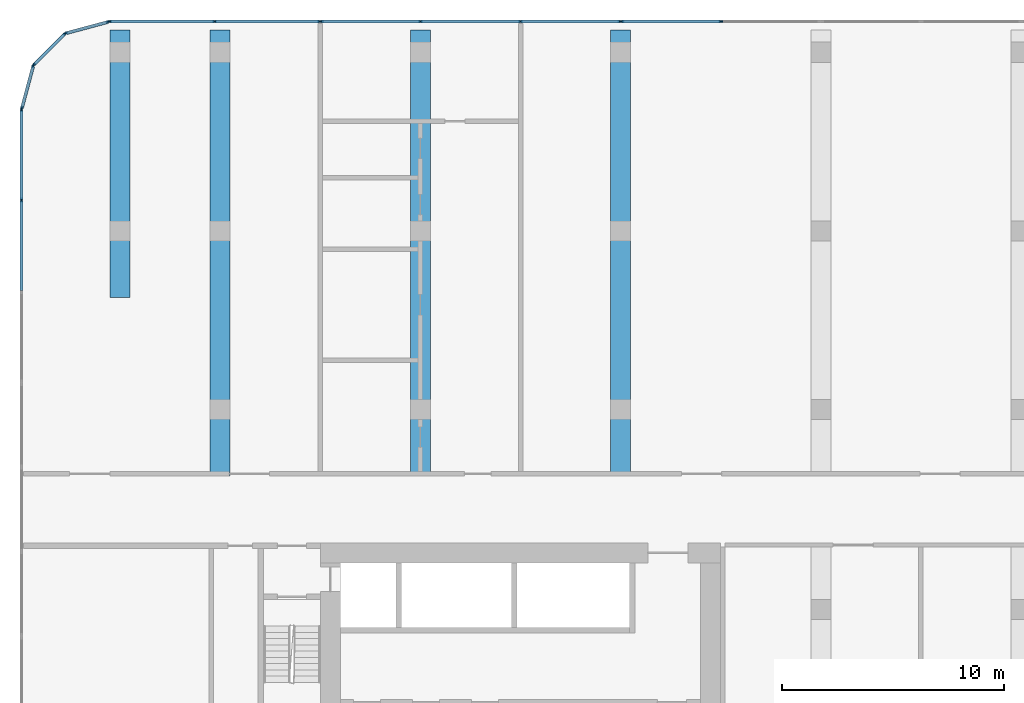
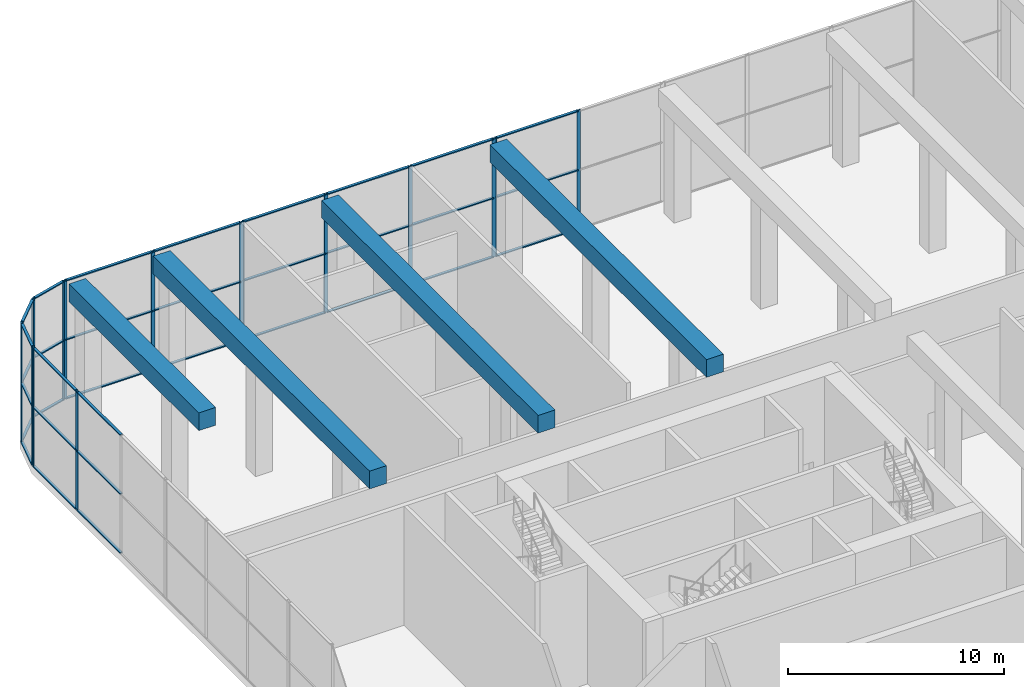
# One storey, part 5 of 23: 50 members, 4 beams, 7 elements without a shape of their own.
"""IFC4 building model written with IfcOpenShell, lengths in metres."""

from ifc_helpers import new_model, si_unit, direction, frame, origin, origin_2d, place, context, subcontext, project, spatial, rectangle, extrude, material, material_profile, profile_set, type_object, element, aggregate, save


model = new_model("IFC4")

# Units and contexts
model_context = context("Model", 3, precision=1e-05, world=origin(), true_north=direction((0.0, 1.0)))
body_context = subcontext(model_context, "Body", "Model", "MODEL_VIEW")
ifc_project = project(units=[si_unit("LENGTHUNIT", "METRE"), si_unit("AREAUNIT", "SQUARE_METRE"), si_unit("VOLUMEUNIT", "CUBIC_METRE"), si_unit("PLANEANGLEUNIT", "RADIAN"), si_unit("MASSUNIT", "GRAM", prefix="KILO")], contexts=[model_context])

# Site, building, storey
site_placement = place(None, origin())
site = spatial("IfcSite", under=ifc_project, at=site_placement, CompositionType="ELEMENT")
building_placement = place(site_placement, origin())
building = spatial("IfcBuilding", under=site, at=building_placement, Name="Kajstack Hotel Tower", CompositionType="ELEMENT")
storey_placement = place(building_placement, frame((0.0, 0.0, 53.0)))
storey = spatial("IfcBuildingStorey", under=building, at=storey_placement, Name="L08", CompositionType="ELEMENT", Elevation=53.0)

# Curtain wall, members
ifc_material_1 = material(Name="Aluminium-framed curtain wall, low-iron insulated glass", Category="aluminium")
curtain_wall_type = type_object("IfcCurtainWallType", Name="CW-GARDEN", PredefinedType="NOTDEFINED", material=ifc_material_1)
curtain_wall_1_placement = place(storey_placement, origin())
curtain_wall_1 = element("IfcCurtainWall", 1, at=curtain_wall_1_placement, inside=storey, type_object=curtain_wall_type, Name="Curtain wall CU6 L08-11-02-2", PredefinedType="NOTDEFINED")
ifc_material_2 = material(Name="Aluminium", Category="aluminium")
ifc_material_profile_1 = material_profile(ifc_material_2, rectangle(XDim=0.06005859375, YDim=0.199951171875, at=origin_2d()), Name="Aluminium mullion 60 x 200")
ifc_profile_set_1 = profile_set([ifc_material_profile_1], Name="Aluminium")
member_type_1 = type_object("IfcMemberType", Name="CW-M-GARDEN", PredefinedType="MULLION", material=ifc_profile_set_1)
member_1_placement = place(storey_placement, frame((-13.5, 21.925048828125, 0.0), z_axis=(0.0, 0.0, 1.0), x_axis=(0.0, -1.0, 0.0)))
member_1 = element("IfcMember", 2, at=member_1_placement, type_object=member_type_1, Name="CU6 mullion 2", PredefinedType="MULLION", context=body_context, shape_type="SweptSolid", body=[
    extrude(rectangle(XDim=0.06005859375, YDim=0.199951171875, at=origin_2d()), origin(), (0.0, 0.0, 1.0), 6.719970703125),
])
member_2_placement = place(storey_placement, frame((-17.969970703125, 21.925048828125, 0.0), z_axis=(0.0, 0.0, 1.0), x_axis=(0.0, -1.0, 0.0)))
member_2 = element("IfcMember", 3, at=member_2_placement, type_object=member_type_1, Name="CU6 mullion 3", PredefinedType="MULLION", context=body_context, shape_type="SweptSolid", body=[
    extrude(rectangle(XDim=0.06005859375, YDim=0.199951171875, at=origin_2d()), origin(), (0.0, 0.0, 1.0), 6.719970703125),
])

curtain_wall_2_placement = place(storey_placement, origin())
curtain_wall_2 = element("IfcCurtainWall", 4, at=curtain_wall_2_placement, inside=storey, type_object=curtain_wall_type, Name="Curtain wall CU6 L08-11-02-3", PredefinedType="NOTDEFINED")
member_3_placement = place(storey_placement, frame((-18.030029296875, 21.925048828125, 0.0), z_axis=(0.0, 0.0, 1.0), x_axis=(0.0, -1.0, 0.0)))
member_3 = element("IfcMember", 5, at=member_3_placement, type_object=member_type_1, Name="CU6 mullion 1", PredefinedType="MULLION", context=body_context, shape_type="SweptSolid", body=[
    extrude(rectangle(XDim=0.06005859375, YDim=0.199951171875, at=origin_2d()), origin(), (0.0, 0.0, 1.0), 6.719970703125),
])
member_4_placement = place(storey_placement, frame((-22.5, 21.925048828125, 0.0), z_axis=(0.0, 0.0, 1.0), x_axis=(0.0, -1.0, 0.0)))
member_4 = element("IfcMember", 6, at=member_4_placement, type_object=member_type_1, Name="CU6 mullion 2", PredefinedType="MULLION", context=body_context, shape_type="SweptSolid", body=[
    extrude(rectangle(XDim=0.06005859375, YDim=0.199951171875, at=origin_2d()), origin(), (0.0, 0.0, 1.0), 6.719970703125),
])
member_5_placement = place(storey_placement, frame((-27.0, 21.925048828125, 0.0), z_axis=(0.0, 0.0, 1.0), x_axis=(0.0, -1.0, 0.0)))
member_5 = element("IfcMember", 7, at=member_5_placement, type_object=member_type_1, Name="CU6 mullion 3", PredefinedType="MULLION", context=body_context, shape_type="SweptSolid", body=[
    extrude(rectangle(XDim=0.06005859375, YDim=0.199951171875, at=origin_2d()), origin(), (0.0, 0.0, 1.0), 6.719970703125),
])
member_6_placement = place(storey_placement, frame((-31.469970703125, 21.925048828125, 0.0), z_axis=(0.0, 0.0, 1.0), x_axis=(0.0, -1.0, 0.0)))
member_6 = element("IfcMember", 8, at=member_6_placement, type_object=member_type_1, Name="CU6 mullion 4", PredefinedType="MULLION", context=body_context, shape_type="SweptSolid", body=[
    extrude(rectangle(XDim=0.06005859375, YDim=0.199951171875, at=origin_2d()), origin(), (0.0, 0.0, 1.0), 6.719970703125),
])

curtain_wall_3_placement = place(storey_placement, origin())
curtain_wall_3 = element("IfcCurtainWall", 9, at=curtain_wall_3_placement, inside=storey, type_object=curtain_wall_type, Name="Curtain wall CU6 L08-11-02-4", PredefinedType="NOTDEFINED")
member_7_placement = place(storey_placement, frame((-31.530029296875, 21.925048828125, 0.0), z_axis=(0.0, 0.0, 1.0), x_axis=(0.0, -1.0, 0.0)))
member_7 = element("IfcMember", 10, at=member_7_placement, type_object=member_type_1, Name="CU6 mullion 1", PredefinedType="MULLION", context=body_context, shape_type="SweptSolid", body=[
    extrude(rectangle(XDim=0.06005859375, YDim=0.199951171875, at=origin_2d()), origin(), (0.0, 0.0, 1.0), 6.719970703125),
])
member_8_placement = place(storey_placement, frame((-36.25, 21.925048828125, 0.0), z_axis=(0.0, 0.0, 1.0), x_axis=(0.0, -1.0, 0.0)))
member_8 = element("IfcMember", 11, at=member_8_placement, type_object=member_type_1, Name="CU6 mullion 2", PredefinedType="MULLION", context=body_context, shape_type="SweptSolid", body=[
    extrude(rectangle(XDim=0.06005859375, YDim=0.199951171875, at=origin_2d()), origin(), (0.0, 0.0, 1.0), 6.719970703125),
])
member_9_placement = place(storey_placement, frame((-40.969970703125, 21.925048828125, 0.0), z_axis=(0.0, 0.0, 1.0), x_axis=(0.0, -1.0, 0.0)))
member_9 = element("IfcMember", 12, at=member_9_placement, type_object=member_type_1, Name="CU6 mullion 3", PredefinedType="MULLION", context=body_context, shape_type="SweptSolid", body=[
    extrude(rectangle(XDim=0.06005859375, YDim=0.199951171875, at=origin_2d()), origin(), (0.0, 0.0, 1.0), 6.719970703125),
])

curtain_wall_4_placement = place(storey_placement, origin())
curtain_wall_4 = element("IfcCurtainWall", 13, at=curtain_wall_4_placement, inside=storey, type_object=curtain_wall_type, Name="Curtain wall CU6 L08-12-00-0", PredefinedType="NOTDEFINED")
member_10_placement = place(storey_placement, frame((-41.009521484375, 21.919677734375, 0.0), z_axis=(0.0, 0.0, 1.0), x_axis=(0.258819772904, -0.965925631275, 0.0)))
member_10 = element("IfcMember", 14, at=member_10_placement, type_object=member_type_1, Name="CU6 mullion 1", PredefinedType="MULLION", context=body_context, shape_type="SweptSolid", body=[
    extrude(rectangle(XDim=0.06005859375, YDim=0.199951171875, at=origin_2d()), origin(), (0.0, 0.0, 1.0), 6.719970703125),
])
member_11_placement = place(storey_placement, frame((-42.95166015625, 21.3994140625, 0.0), z_axis=(0.0, 0.0, 1.0), x_axis=(0.258819772904, -0.965925631275, 0.0)))
member_11 = element("IfcMember", 15, at=member_11_placement, type_object=member_type_1, Name="CU6 mullion 2", PredefinedType="MULLION", context=body_context, shape_type="SweptSolid", body=[
    extrude(rectangle(XDim=0.06005859375, YDim=0.199951171875, at=origin_2d()), origin(), (0.0, 0.0, 1.0), 6.719970703125),
])

curtain_wall_5_placement = place(storey_placement, origin())
curtain_wall_5 = element("IfcCurtainWall", 16, at=curtain_wall_5_placement, inside=storey, type_object=curtain_wall_type, Name="Curtain wall CU6 L08-13-00-0", PredefinedType="NOTDEFINED")
member_12_placement = place(storey_placement, frame((-42.96826171875, 21.389892578125, 0.0), z_axis=(0.0, 0.0, 1.0), x_axis=(0.707106781187, -0.707106781187, 0.0)))
member_12 = element("IfcMember", 17, at=member_12_placement, type_object=member_type_1, Name="CU6 mullion 1", PredefinedType="MULLION", context=body_context, shape_type="SweptSolid", body=[
    extrude(rectangle(XDim=0.06005859375, YDim=0.199951171875, at=origin_2d()), origin(), (0.0, 0.0, 1.0), 6.719970703125),
])
member_13_placement = place(storey_placement, frame((-44.389892578125, 19.96826171875, 0.0), z_axis=(0.0, 0.0, 1.0), x_axis=(0.707106781187, -0.707106781187, 0.0)))
member_13 = element("IfcMember", 18, at=member_13_placement, type_object=member_type_1, Name="CU6 mullion 2", PredefinedType="MULLION", context=body_context, shape_type="SweptSolid", body=[
    extrude(rectangle(XDim=0.06005859375, YDim=0.199951171875, at=origin_2d()), origin(), (0.0, 0.0, 1.0), 6.719970703125),
])

curtain_wall_6_placement = place(storey_placement, origin())
curtain_wall_6 = element("IfcCurtainWall", 19, at=curtain_wall_6_placement, inside=storey, type_object=curtain_wall_type, Name="Curtain wall CU6 L08-14-00-0", PredefinedType="NOTDEFINED")
member_14_placement = place(storey_placement, frame((-44.3994140625, 19.95166015625, 0.0), z_axis=(0.0, 0.0, 1.0), x_axis=(0.965925631275, -0.258819772904, 0.0)))
member_14 = element("IfcMember", 20, at=member_14_placement, type_object=member_type_1, Name="CU6 mullion 1", PredefinedType="MULLION", context=body_context, shape_type="SweptSolid", body=[
    extrude(rectangle(XDim=0.06005859375, YDim=0.199951171875, at=origin_2d()), origin(), (0.0, 0.0, 1.0), 6.719970703125),
])
member_15_placement = place(storey_placement, frame((-44.919677734375, 18.009521484375, 0.0), z_axis=(0.0, 0.0, 1.0), x_axis=(0.965925631275, -0.258819772904, 0.0)))
member_15 = element("IfcMember", 21, at=member_15_placement, type_object=member_type_1, Name="CU6 mullion 2", PredefinedType="MULLION", context=body_context, shape_type="SweptSolid", body=[
    extrude(rectangle(XDim=0.06005859375, YDim=0.199951171875, at=origin_2d()), origin(), (0.0, 0.0, 1.0), 6.719970703125),
])

curtain_wall_7_placement = place(storey_placement, origin())
curtain_wall_7 = element("IfcCurtainWall", 22, at=curtain_wall_7_placement, inside=storey, type_object=curtain_wall_type, Name="Curtain wall CU6 L08-15-00-0", PredefinedType="NOTDEFINED")
member_16_placement = place(storey_placement, frame((-44.925048828125, 17.969970703125, 0.0), z_axis=(0.0, 0.0, 1.0), x_axis=(1.0, 0.0, 0.0)))
member_16 = element("IfcMember", 23, at=member_16_placement, type_object=member_type_1, Name="CU6 mullion 1", PredefinedType="MULLION", context=body_context, shape_type="SweptSolid", body=[
    extrude(rectangle(XDim=0.06005859375, YDim=0.199951171875, at=origin_2d()), origin(), (0.0, 0.0, 1.0), 6.719970703125),
])
member_17_placement = place(storey_placement, frame((-44.925048828125, 13.89990234375, 0.0), z_axis=(0.0, 0.0, 1.0), x_axis=(1.0, 0.0, 0.0)))
member_17 = element("IfcMember", 24, at=member_17_placement, type_object=member_type_1, Name="CU6 mullion 2", PredefinedType="MULLION", context=body_context, shape_type="SweptSolid", body=[
    extrude(rectangle(XDim=0.06005859375, YDim=0.199951171875, at=origin_2d()), origin(), (0.0, 0.0, 1.0), 6.719970703125),
])

# Member
ifc_material_profile_2 = material_profile(ifc_material_2, rectangle(XDim=0.139892578125, YDim=0.06005859375, at=origin_2d()), Name="Aluminium transom 140 x 60")
ifc_profile_set_2 = profile_set([ifc_material_profile_2], Name="Aluminium")
member_type_2 = type_object("IfcMemberType", Name="CW-T-GARDEN", PredefinedType="USERDEFINED", material=ifc_profile_set_2)
member_18_placement = place(storey_placement, frame((-13.530029296875, 21.925048828125, 0.030029296875), z_axis=(-1.0, 0.0, 0.0), x_axis=(0.0, -1.0, 0.0)))
member_18 = element("IfcMember", 25, at=member_18_placement, type_object=member_type_2, Name="CU6 transom 2.1", ObjectType="TRANSOM", PredefinedType="USERDEFINED", context=body_context, shape_type="SweptSolid", body=[
    extrude(rectangle(XDim=0.139892578125, YDim=0.06005859375, at=origin_2d()), origin(), (0.0, 0.0, 1.0), 4.409912109375),
])

member_19_placement = place(storey_placement, frame((-13.530029296875, 21.925048828125, 3.360107421875), z_axis=(-1.0, 0.0, 0.0), x_axis=(0.0, -1.0, 0.0)))
member_19 = element("IfcMember", 26, at=member_19_placement, type_object=member_type_2, Name="CU6 transom 2.2", ObjectType="TRANSOM", PredefinedType="USERDEFINED", context=body_context, shape_type="SweptSolid", body=[
    extrude(rectangle(XDim=0.139892578125, YDim=0.06005859375, at=origin_2d()), origin(), (0.0, 0.0, 1.0), 4.409912109375),
])

member_20_placement = place(storey_placement, frame((-13.530029296875, 21.925048828125, 6.68994140625), z_axis=(-1.0, 0.0, 0.0), x_axis=(0.0, -1.0, 0.0)))
member_20 = element("IfcMember", 27, at=member_20_placement, type_object=member_type_2, Name="CU6 transom 2.3", ObjectType="TRANSOM", PredefinedType="USERDEFINED", context=body_context, shape_type="SweptSolid", body=[
    extrude(rectangle(XDim=0.139892578125, YDim=0.06005859375, at=origin_2d()), origin(), (0.0, 0.0, 1.0), 4.409912109375),
])

aggregate(curtain_wall_1, [member_1, member_2, member_18, member_19, member_20])

member_21_placement = place(storey_placement, frame((-18.06005859375, 21.925048828125, 0.030029296875), z_axis=(-1.0, 0.0, 0.0), x_axis=(0.0, -1.0, 0.0)))
member_21 = element("IfcMember", 28, at=member_21_placement, type_object=member_type_2, Name="CU6 transom 1.1", ObjectType="TRANSOM", PredefinedType="USERDEFINED", context=body_context, shape_type="SweptSolid", body=[
    extrude(rectangle(XDim=0.139892578125, YDim=0.06005859375, at=origin_2d()), origin(), (0.0, 0.0, 1.0), 4.409912109375),
])

member_22_placement = place(storey_placement, frame((-18.06005859375, 21.925048828125, 3.360107421875), z_axis=(-1.0, 0.0, 0.0), x_axis=(0.0, -1.0, 0.0)))
member_22 = element("IfcMember", 29, at=member_22_placement, type_object=member_type_2, Name="CU6 transom 1.2", ObjectType="TRANSOM", PredefinedType="USERDEFINED", context=body_context, shape_type="SweptSolid", body=[
    extrude(rectangle(XDim=0.139892578125, YDim=0.06005859375, at=origin_2d()), origin(), (0.0, 0.0, 1.0), 4.409912109375),
])

member_23_placement = place(storey_placement, frame((-18.06005859375, 21.925048828125, 6.68994140625), z_axis=(-1.0, 0.0, 0.0), x_axis=(0.0, -1.0, 0.0)))
member_23 = element("IfcMember", 30, at=member_23_placement, type_object=member_type_2, Name="CU6 transom 1.3", ObjectType="TRANSOM", PredefinedType="USERDEFINED", context=body_context, shape_type="SweptSolid", body=[
    extrude(rectangle(XDim=0.139892578125, YDim=0.06005859375, at=origin_2d()), origin(), (0.0, 0.0, 1.0), 4.409912109375),
])

member_24_placement = place(storey_placement, frame((-22.530029296875, 21.925048828125, 0.030029296875), z_axis=(-1.0, 0.0, 0.0), x_axis=(0.0, -1.0, 0.0)))
member_24 = element("IfcMember", 31, at=member_24_placement, type_object=member_type_2, Name="CU6 transom 2.1", ObjectType="TRANSOM", PredefinedType="USERDEFINED", context=body_context, shape_type="SweptSolid", body=[
    extrude(rectangle(XDim=0.139892578125, YDim=0.06005859375, at=origin_2d()), origin(), (0.0, 0.0, 1.0), 4.43994140625),
])

member_25_placement = place(storey_placement, frame((-22.530029296875, 21.925048828125, 3.360107421875), z_axis=(-1.0, 0.0, 0.0), x_axis=(0.0, -1.0, 0.0)))
member_25 = element("IfcMember", 32, at=member_25_placement, type_object=member_type_2, Name="CU6 transom 2.2", ObjectType="TRANSOM", PredefinedType="USERDEFINED", context=body_context, shape_type="SweptSolid", body=[
    extrude(rectangle(XDim=0.139892578125, YDim=0.06005859375, at=origin_2d()), origin(), (0.0, 0.0, 1.0), 4.43994140625),
])

member_26_placement = place(storey_placement, frame((-22.530029296875, 21.925048828125, 6.68994140625), z_axis=(-1.0, 0.0, 0.0), x_axis=(0.0, -1.0, 0.0)))
member_26 = element("IfcMember", 33, at=member_26_placement, type_object=member_type_2, Name="CU6 transom 2.3", ObjectType="TRANSOM", PredefinedType="USERDEFINED", context=body_context, shape_type="SweptSolid", body=[
    extrude(rectangle(XDim=0.139892578125, YDim=0.06005859375, at=origin_2d()), origin(), (0.0, 0.0, 1.0), 4.43994140625),
])

member_27_placement = place(storey_placement, frame((-27.030029296875, 21.925048828125, 0.030029296875), z_axis=(-1.0, 0.0, 0.0), x_axis=(0.0, -1.0, 0.0)))
member_27 = element("IfcMember", 34, at=member_27_placement, type_object=member_type_2, Name="CU6 transom 3.1", ObjectType="TRANSOM", PredefinedType="USERDEFINED", context=body_context, shape_type="SweptSolid", body=[
    extrude(rectangle(XDim=0.139892578125, YDim=0.06005859375, at=origin_2d()), origin(), (0.0, 0.0, 1.0), 4.409912109375),
])

member_28_placement = place(storey_placement, frame((-27.030029296875, 21.925048828125, 3.360107421875), z_axis=(-1.0, 0.0, 0.0), x_axis=(0.0, -1.0, 0.0)))
member_28 = element("IfcMember", 35, at=member_28_placement, type_object=member_type_2, Name="CU6 transom 3.2", ObjectType="TRANSOM", PredefinedType="USERDEFINED", context=body_context, shape_type="SweptSolid", body=[
    extrude(rectangle(XDim=0.139892578125, YDim=0.06005859375, at=origin_2d()), origin(), (0.0, 0.0, 1.0), 4.409912109375),
])

member_29_placement = place(storey_placement, frame((-27.030029296875, 21.925048828125, 6.68994140625), z_axis=(-1.0, 0.0, 0.0), x_axis=(0.0, -1.0, 0.0)))
member_29 = element("IfcMember", 36, at=member_29_placement, type_object=member_type_2, Name="CU6 transom 3.3", ObjectType="TRANSOM", PredefinedType="USERDEFINED", context=body_context, shape_type="SweptSolid", body=[
    extrude(rectangle(XDim=0.139892578125, YDim=0.06005859375, at=origin_2d()), origin(), (0.0, 0.0, 1.0), 4.409912109375),
])

aggregate(curtain_wall_2, [member_3, member_4, member_5, member_6, member_21, member_22, member_23, member_24, member_25, member_26, member_27, member_28, member_29])

member_30_placement = place(storey_placement, frame((-31.56005859375, 21.925048828125, 0.030029296875), z_axis=(-1.0, 0.0, 0.0), x_axis=(0.0, -1.0, 0.0)))
member_30 = element("IfcMember", 37, at=member_30_placement, type_object=member_type_2, Name="CU6 transom 1.1", ObjectType="TRANSOM", PredefinedType="USERDEFINED", context=body_context, shape_type="SweptSolid", body=[
    extrude(rectangle(XDim=0.139892578125, YDim=0.06005859375, at=origin_2d()), origin(), (0.0, 0.0, 1.0), 4.659912109375),
])

member_31_placement = place(storey_placement, frame((-31.56005859375, 21.925048828125, 3.360107421875), z_axis=(-1.0, 0.0, 0.0), x_axis=(0.0, -1.0, 0.0)))
member_31 = element("IfcMember", 38, at=member_31_placement, type_object=member_type_2, Name="CU6 transom 1.2", ObjectType="TRANSOM", PredefinedType="USERDEFINED", context=body_context, shape_type="SweptSolid", body=[
    extrude(rectangle(XDim=0.139892578125, YDim=0.06005859375, at=origin_2d()), origin(), (0.0, 0.0, 1.0), 4.659912109375),
])

member_32_placement = place(storey_placement, frame((-31.56005859375, 21.925048828125, 6.68994140625), z_axis=(-1.0, 0.0, 0.0), x_axis=(0.0, -1.0, 0.0)))
member_32 = element("IfcMember", 39, at=member_32_placement, type_object=member_type_2, Name="CU6 transom 1.3", ObjectType="TRANSOM", PredefinedType="USERDEFINED", context=body_context, shape_type="SweptSolid", body=[
    extrude(rectangle(XDim=0.139892578125, YDim=0.06005859375, at=origin_2d()), origin(), (0.0, 0.0, 1.0), 4.659912109375),
])

member_33_placement = place(storey_placement, frame((-36.280029296875, 21.925048828125, 0.030029296875), z_axis=(-1.0, 0.0, 0.0), x_axis=(0.0, -1.0, 0.0)))
member_33 = element("IfcMember", 40, at=member_33_placement, type_object=member_type_2, Name="CU6 transom 2.1", ObjectType="TRANSOM", PredefinedType="USERDEFINED", context=body_context, shape_type="SweptSolid", body=[
    extrude(rectangle(XDim=0.139892578125, YDim=0.06005859375, at=origin_2d()), origin(), (0.0, 0.0, 1.0), 4.659912109375),
])

member_34_placement = place(storey_placement, frame((-36.280029296875, 21.925048828125, 3.360107421875), z_axis=(-1.0, 0.0, 0.0), x_axis=(0.0, -1.0, 0.0)))
member_34 = element("IfcMember", 41, at=member_34_placement, type_object=member_type_2, Name="CU6 transom 2.2", ObjectType="TRANSOM", PredefinedType="USERDEFINED", context=body_context, shape_type="SweptSolid", body=[
    extrude(rectangle(XDim=0.139892578125, YDim=0.06005859375, at=origin_2d()), origin(), (0.0, 0.0, 1.0), 4.659912109375),
])

member_35_placement = place(storey_placement, frame((-36.280029296875, 21.925048828125, 6.68994140625), z_axis=(-1.0, 0.0, 0.0), x_axis=(0.0, -1.0, 0.0)))
member_35 = element("IfcMember", 42, at=member_35_placement, type_object=member_type_2, Name="CU6 transom 2.3", ObjectType="TRANSOM", PredefinedType="USERDEFINED", context=body_context, shape_type="SweptSolid", body=[
    extrude(rectangle(XDim=0.139892578125, YDim=0.06005859375, at=origin_2d()), origin(), (0.0, 0.0, 1.0), 4.659912109375),
])

aggregate(curtain_wall_3, [member_7, member_8, member_9, member_30, member_31, member_32, member_33, member_34, member_35])

member_36_placement = place(storey_placement, frame((-41.03857421875, 21.912109375, 0.030029296875), z_axis=(-0.96591843844, -0.258846615355, 0.0), x_axis=(0.258846615355, -0.96591843844, 0.0)))
member_36 = element("IfcMember", 43, at=member_36_placement, type_object=member_type_2, Name="CU6 transom 1.1", ObjectType="TRANSOM", PredefinedType="USERDEFINED", context=body_context, shape_type="SweptSolid", body=[
    extrude(rectangle(XDim=0.139892578125, YDim=0.06005859375, at=origin_2d()), origin(), (0.0, 0.0, 1.0), 1.950439453125),
])

member_37_placement = place(storey_placement, frame((-41.03857421875, 21.912109375, 3.360107421875), z_axis=(-0.96591843844, -0.258846615355, 0.0), x_axis=(0.258846615355, -0.96591843844, 0.0)))
member_37 = element("IfcMember", 44, at=member_37_placement, type_object=member_type_2, Name="CU6 transom 1.2", ObjectType="TRANSOM", PredefinedType="USERDEFINED", context=body_context, shape_type="SweptSolid", body=[
    extrude(rectangle(XDim=0.139892578125, YDim=0.06005859375, at=origin_2d()), origin(), (0.0, 0.0, 1.0), 1.950439453125),
])

member_38_placement = place(storey_placement, frame((-41.03857421875, 21.912109375, 6.68994140625), z_axis=(-0.96591843844, -0.258846615355, 0.0), x_axis=(0.258846615355, -0.96591843844, 0.0)))
member_38 = element("IfcMember", 45, at=member_38_placement, type_object=member_type_2, Name="CU6 transom 1.3", ObjectType="TRANSOM", PredefinedType="USERDEFINED", context=body_context, shape_type="SweptSolid", body=[
    extrude(rectangle(XDim=0.139892578125, YDim=0.06005859375, at=origin_2d()), origin(), (0.0, 0.0, 1.0), 1.950439453125),
])

aggregate(curtain_wall_4, [member_10, member_11, member_36, member_37, member_38])

member_39_placement = place(storey_placement, frame((-42.989501953125, 21.36865234375, 0.030029296875), z_axis=(-0.707106781187, -0.707106781187, 0.0), x_axis=(0.707106781187, -0.707106781187, 0.0)))
member_39 = element("IfcMember", 46, at=member_39_placement, type_object=member_type_2, Name="CU6 transom 1.1", ObjectType="TRANSOM", PredefinedType="USERDEFINED", context=body_context, shape_type="SweptSolid", body=[
    extrude(rectangle(XDim=0.139892578125, YDim=0.06005859375, at=origin_2d()), origin(), (0.0, 0.0, 1.0), 1.950439453125),
])

member_40_placement = place(storey_placement, frame((-42.989501953125, 21.36865234375, 3.360107421875), z_axis=(-0.707106781187, -0.707106781187, 0.0), x_axis=(0.707106781187, -0.707106781187, 0.0)))
member_40 = element("IfcMember", 47, at=member_40_placement, type_object=member_type_2, Name="CU6 transom 1.2", ObjectType="TRANSOM", PredefinedType="USERDEFINED", context=body_context, shape_type="SweptSolid", body=[
    extrude(rectangle(XDim=0.139892578125, YDim=0.06005859375, at=origin_2d()), origin(), (0.0, 0.0, 1.0), 1.950439453125),
])

member_41_placement = place(storey_placement, frame((-42.989501953125, 21.36865234375, 6.68994140625), z_axis=(-0.707106781187, -0.707106781187, 0.0), x_axis=(0.707106781187, -0.707106781187, 0.0)))
member_41 = element("IfcMember", 48, at=member_41_placement, type_object=member_type_2, Name="CU6 transom 1.3", ObjectType="TRANSOM", PredefinedType="USERDEFINED", context=body_context, shape_type="SweptSolid", body=[
    extrude(rectangle(XDim=0.139892578125, YDim=0.06005859375, at=origin_2d()), origin(), (0.0, 0.0, 1.0), 1.950439453125),
])

aggregate(curtain_wall_5, [member_12, member_13, member_39, member_40, member_41])

member_42_placement = place(storey_placement, frame((-44.4072265625, 19.922607421875, 0.030029296875), z_axis=(-0.258846615355, -0.96591843844, 0.0), x_axis=(0.96591843844, -0.258846615355, 0.0)))
member_42 = element("IfcMember", 49, at=member_42_placement, type_object=member_type_2, Name="CU6 transom 1.1", ObjectType="TRANSOM", PredefinedType="USERDEFINED", context=body_context, shape_type="SweptSolid", body=[
    extrude(rectangle(XDim=0.139892578125, YDim=0.06005859375, at=origin_2d()), origin(), (0.0, 0.0, 1.0), 1.950439453125),
])

member_43_placement = place(storey_placement, frame((-44.4072265625, 19.922607421875, 3.360107421875), z_axis=(-0.258846615355, -0.96591843844, 0.0), x_axis=(0.96591843844, -0.258846615355, 0.0)))
member_43 = element("IfcMember", 50, at=member_43_placement, type_object=member_type_2, Name="CU6 transom 1.2", ObjectType="TRANSOM", PredefinedType="USERDEFINED", context=body_context, shape_type="SweptSolid", body=[
    extrude(rectangle(XDim=0.139892578125, YDim=0.06005859375, at=origin_2d()), origin(), (0.0, 0.0, 1.0), 1.950439453125),
])

member_44_placement = place(storey_placement, frame((-44.4072265625, 19.922607421875, 6.68994140625), z_axis=(-0.258846615355, -0.96591843844, 0.0), x_axis=(0.96591843844, -0.258846615355, 0.0)))
member_44 = element("IfcMember", 51, at=member_44_placement, type_object=member_type_2, Name="CU6 transom 1.3", ObjectType="TRANSOM", PredefinedType="USERDEFINED", context=body_context, shape_type="SweptSolid", body=[
    extrude(rectangle(XDim=0.139892578125, YDim=0.06005859375, at=origin_2d()), origin(), (0.0, 0.0, 1.0), 1.950439453125),
])

aggregate(curtain_wall_6, [member_14, member_15, member_42, member_43, member_44])

member_45_placement = place(storey_placement, frame((-44.925048828125, 17.93994140625, 0.030029296875), z_axis=(0.0, -1.0, 0.0), x_axis=(1.0, 0.0, 0.0)))
member_45 = element("IfcMember", 52, at=member_45_placement, type_object=member_type_2, Name="CU6 transom 1.1", ObjectType="TRANSOM", PredefinedType="USERDEFINED", context=body_context, shape_type="SweptSolid", body=[
    extrude(rectangle(XDim=0.139892578125, YDim=0.06005859375, at=origin_2d()), origin(), (0.0, 0.0, 1.0), 4.010009765625),
])

member_46_placement = place(storey_placement, frame((-44.925048828125, 17.93994140625, 3.360107421875), z_axis=(0.0, -1.0, 0.0), x_axis=(1.0, 0.0, 0.0)))
member_46 = element("IfcMember", 53, at=member_46_placement, type_object=member_type_2, Name="CU6 transom 1.2", ObjectType="TRANSOM", PredefinedType="USERDEFINED", context=body_context, shape_type="SweptSolid", body=[
    extrude(rectangle(XDim=0.139892578125, YDim=0.06005859375, at=origin_2d()), origin(), (0.0, 0.0, 1.0), 4.010009765625),
])

member_47_placement = place(storey_placement, frame((-44.925048828125, 17.93994140625, 6.68994140625), z_axis=(0.0, -1.0, 0.0), x_axis=(1.0, 0.0, 0.0)))
member_47 = element("IfcMember", 54, at=member_47_placement, type_object=member_type_2, Name="CU6 transom 1.3", ObjectType="TRANSOM", PredefinedType="USERDEFINED", context=body_context, shape_type="SweptSolid", body=[
    extrude(rectangle(XDim=0.139892578125, YDim=0.06005859375, at=origin_2d()), origin(), (0.0, 0.0, 1.0), 4.010009765625),
])

member_48_placement = place(storey_placement, frame((-44.925048828125, 13.8701171875, 0.030029296875), z_axis=(0.0, -1.0, 0.0), x_axis=(1.0, 0.0, 0.0)))
member_48 = element("IfcMember", 55, at=member_48_placement, type_object=member_type_2, Name="CU6 transom 2.1", ObjectType="TRANSOM", PredefinedType="USERDEFINED", context=body_context, shape_type="SweptSolid", body=[
    extrude(rectangle(XDim=0.139892578125, YDim=0.06005859375, at=origin_2d()), origin(), (0.0, 0.0, 1.0), 4.0400390625),
])

member_49_placement = place(storey_placement, frame((-44.925048828125, 13.8701171875, 3.360107421875), z_axis=(0.0, -1.0, 0.0), x_axis=(1.0, 0.0, 0.0)))
member_49 = element("IfcMember", 56, at=member_49_placement, type_object=member_type_2, Name="CU6 transom 2.2", ObjectType="TRANSOM", PredefinedType="USERDEFINED", context=body_context, shape_type="SweptSolid", body=[
    extrude(rectangle(XDim=0.139892578125, YDim=0.06005859375, at=origin_2d()), origin(), (0.0, 0.0, 1.0), 4.0400390625),
])

member_50_placement = place(storey_placement, frame((-44.925048828125, 13.8701171875, 6.68994140625), z_axis=(0.0, -1.0, 0.0), x_axis=(1.0, 0.0, 0.0)))
member_50 = element("IfcMember", 57, at=member_50_placement, type_object=member_type_2, Name="CU6 transom 2.3", ObjectType="TRANSOM", PredefinedType="USERDEFINED", context=body_context, shape_type="SweptSolid", body=[
    extrude(rectangle(XDim=0.139892578125, YDim=0.06005859375, at=origin_2d()), origin(), (0.0, 0.0, 1.0), 4.0400390625),
])

aggregate(curtain_wall_7, [member_16, member_17, member_45, member_46, member_47, member_48, member_49, member_50])

# Beams
ifc_material_3 = material(Name="Concrete C60/75", Category="concrete")
ifc_material_profile_3 = material_profile(ifc_material_3, rectangle(XDim=0.89990234375, YDim=1.0, at=origin_2d()), Name="RC 900x1000")
ifc_profile_set_3 = profile_set([ifc_material_profile_3], Name="Concrete C60/75")
beam_type = type_object("IfcBeamType", Name="TG1 RC 900x1000 C60/75", PredefinedType="BEAM", material=ifc_profile_set_3)
beam_placement = place(storey_placement, frame((-40.5, 9.52490234375, 6.219970703125), z_axis=(0.0, 1.0, 0.0), x_axis=(-1.0, 0.0, 0.0)))
element("IfcBeam", 58, at=beam_placement, inside=storey, type_object=beam_type, Name="S-girder-L08--40p5-1", PredefinedType="BEAM", context=body_context, shape_type="SweptSolid", body=[
    extrude(rectangle(XDim=0.89990234375, YDim=1.0, at=origin_2d()), origin(), (0.0, 0.0, 1.0), 12.025146484375),
])
for number, where, z_axis, x_axis, name in (
    (59, (-36.0, 1.5, 6.219970703125), (0.0, 1.0, 0.0), (-1.0, 0.0, 0.0), "S-girder-L08--36p0-1"),
    (60, (-27.0, 1.5, 6.219970703125), (0.0, 1.0, 0.0), (-1.0, 0.0, 0.0), "S-girder-L08--27p0-1"),
    (61, (-18.0, 1.5, 6.219970703125), (0.0, 1.0, 0.0), (-1.0, 0.0, 0.0), "S-girder-L08--18p0-1"),
):
    element("IfcBeam", number, at=place(storey_placement, frame(where, z_axis=z_axis, x_axis=x_axis)), inside=storey, type_object=beam_type, Name=name, PredefinedType="BEAM", context=body_context, shape_type="SweptSolid", body=[
        extrude(rectangle(XDim=0.89990234375, YDim=1.0, at=origin_2d()), origin(), (0.0, 0.0, 1.0), 20.050048828125),
    ])

save(model, "model.ifc")
